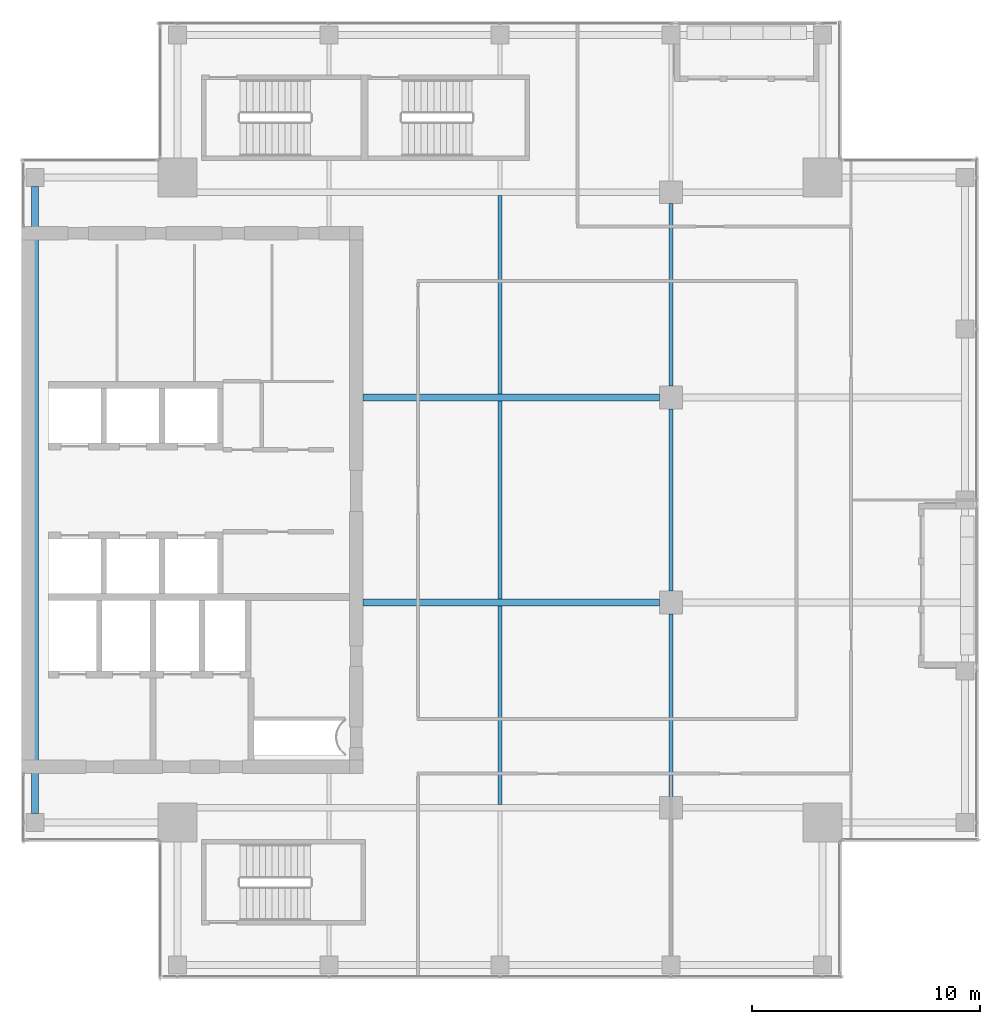
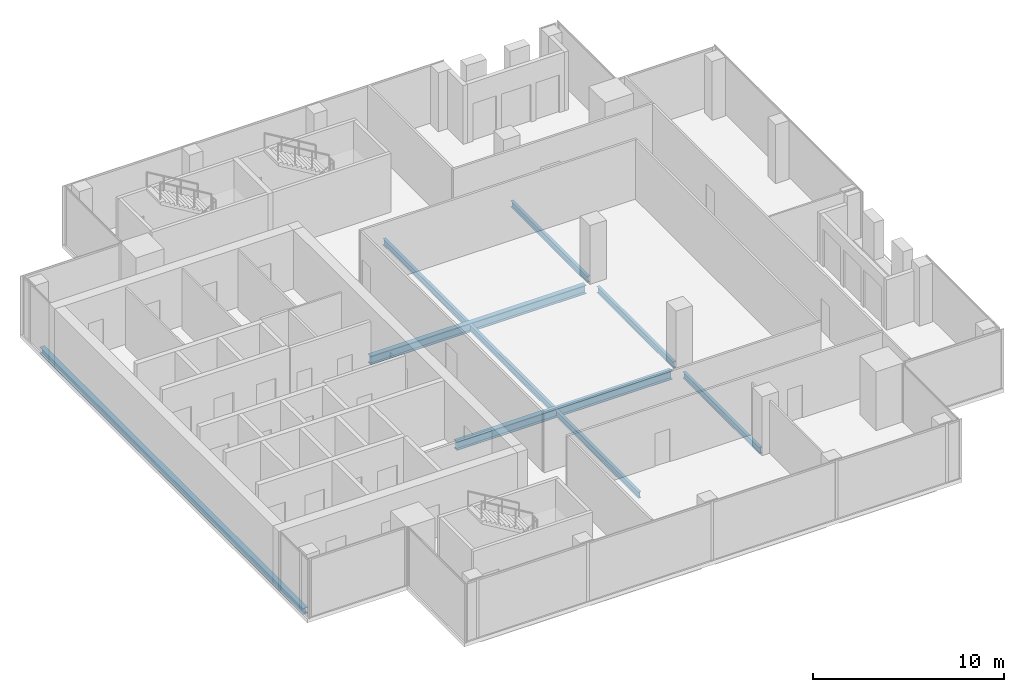
# One storey, part 8 of 29: 9 beams.
"""IFC4 building model written with IfcOpenShell, lengths in metres."""

from ifc_helpers import new_model, si_unit, direction, frame, origin, origin_2d, place, context, subcontext, project, spatial, i_section, extrude, source, transform, mapped, material, material_profile, profile_set, type_object, element, save


model = new_model("IFC4")

# Units and contexts
model_context = context("Model", 3, precision=1e-05, world=origin(), true_north=direction((0.0, 1.0)))
body_context = subcontext(model_context, "Body", "Model", "MODEL_VIEW")
ifc_project = project(units=[si_unit("LENGTHUNIT", "METRE"), si_unit("AREAUNIT", "SQUARE_METRE"), si_unit("VOLUMEUNIT", "CUBIC_METRE"), si_unit("PLANEANGLEUNIT", "RADIAN"), si_unit("MASSUNIT", "GRAM", prefix="KILO")], contexts=[model_context])

# Site, building, storey
site_placement = place(None, origin())
site = spatial("IfcSite", under=ifc_project, at=site_placement, CompositionType="ELEMENT")
building_placement = place(site_placement, origin())
building = spatial("IfcBuilding", under=site, at=building_placement, Name="Khomas Fold Tower", CompositionType="ELEMENT")
storey_placement = place(building_placement, frame((0.0, 0.0, 326.199951171875)))
storey = spatial("IfcBuildingStorey", under=building, at=storey_placement, Name="L74", CompositionType="ELEMENT", Elevation=326.199951171875)

# Beams
ifc_material_1 = material(Name="Steel S355", Category="steel")
ifc_material_profile_1 = material_profile(ifc_material_1, i_section(OverallWidth=0.179931640625, OverallDepth=0.39990234375, WebThickness=0.008544921875, FlangeThickness=0.013427734375, at=origin_2d()), Name="IPE 400")
ifc_profile_set_1 = profile_set([ifc_material_profile_1], Name="Steel S355")
beam_type_1 = type_object("IfcBeamType", Name="IPE 400 beam JB3", PredefinedType="BEAM", material=ifc_profile_set_1)
shared_shape_1 = source(origin(), body_context, "Body", "SweptSolid", [
    extrude(i_section(OverallWidth=0.179931640625, OverallDepth=0.39990234375, WebThickness=0.008544921875, FlangeThickness=0.013427734375, at=origin_2d()), origin(), (0.0, 0.0, 1.0), 8.7001953125),
])
for number, where, z_axis, x_axis, name in (
    (1, (27.0, 13.64990234375, -0.449951171875), (0.0, 1.0, 0.0), (-1.0, 0.0, 0.0), "JB3"),
    (2, (27.0, 22.64990234375, -0.449951171875), (0.0, 1.0, 0.0), (-1.0, 0.0, 0.0), "JB3"),
    (3, (27.0, 31.64990234375, -0.449951171875), (0.0, 1.0, 0.0), (-1.0, 0.0, 0.0), "JB3"),
):
    element("IfcBeam", number, at=place(storey_placement, frame(where, z_axis=z_axis, x_axis=x_axis)), inside=storey, type_object=beam_type_1, Name=name, PredefinedType="BEAM", context=body_context, shape_type="MappedRepresentation", body=[
        mapped(shared_shape_1, transform((0.0, 0.0, 0.0))),
    ])
ifc_material_2 = material(Name="Steel S355", Category="steel")
ifc_material_profile_2 = material_profile(ifc_material_2, i_section(OverallWidth=0.300048828125, OverallDepth=0.39990234375, WebThickness=0.013427734375, FlangeThickness=0.02392578125, at=origin_2d()), Name="HE 400 B")
ifc_profile_set_2 = profile_set([ifc_material_profile_2], Name="Steel S355")
beam_type_2 = type_object("IfcBeamType", Name="HE 400 B spandrel SB5", PredefinedType="SPANDREL", material=ifc_profile_set_2)
shared_shape_2 = source(origin(), body_context, "Body", "SweptSolid", [
    extrude(i_section(OverallWidth=0.300048828125, OverallDepth=0.39990234375, WebThickness=0.013427734375, FlangeThickness=0.02392578125, at=origin_2d()), origin(), (0.0, 0.0, 1.0), 27.5),
])
beam_placement = place(storey_placement, frame((6.60009765625, 13.25, -0.449951171875), z_axis=(0.0, 1.0, 0.0), x_axis=(-1.0, 0.0, 0.0)))
element("IfcBeam", 4, at=beam_placement, inside=storey, type_object=beam_type_2, Name="SB5", PredefinedType="SPANDREL", context=body_context, shape_type="MappedRepresentation", body=[
    mapped(shared_shape_2, transform((0.0, 0.0, 0.0))),
])
ifc_material_3 = material(Name="Steel S355", Category="steel")
ifc_material_profile_3 = material_profile(ifc_material_3, i_section(OverallWidth=0.300048828125, OverallDepth=0.550048828125, WebThickness=0.014892578125, FlangeThickness=0.029052734375, at=origin_2d()), Name="HE 550 B")
ifc_profile_set_3 = profile_set([ifc_material_profile_3], Name="Steel S355")
beam_type_3 = type_object("IfcBeamType", Name="HE 550 B beam GB4", PredefinedType="BEAM", material=ifc_profile_set_3)
shared_shape_3 = source(origin(), body_context, "Body", "SweptSolid", [
    extrude(i_section(OverallWidth=0.300048828125, OverallDepth=0.550048828125, WebThickness=0.014892578125, FlangeThickness=0.029052734375, at=origin_2d()), origin(), (0.0, 0.0, 1.0), 13.0),
])
for number, where, z_axis, x_axis, name in (
    (5, (21.0, 22.5, -0.52490234375), (1.0, 0.0, 0.0), (0.0, 1.0, 0.0), "GB4"),
    (6, (21.0, 31.5, -0.52490234375), (1.0, 0.0, 0.0), (0.0, 1.0, 0.0), "GB4"),
):
    element("IfcBeam", number, at=place(storey_placement, frame(where, z_axis=z_axis, x_axis=x_axis)), inside=storey, type_object=beam_type_3, Name=name, PredefinedType="BEAM", context=body_context, shape_type="MappedRepresentation", body=[
        mapped(shared_shape_3, transform((0.0, 0.0, 0.0))),
    ])
shared_shape_4 = source(origin(), body_context, "Body", "SweptSolid", [
    extrude(i_section(OverallWidth=0.179931640625, OverallDepth=0.39990234375, WebThickness=0.008544921875, FlangeThickness=0.013427734375, at=origin_2d()), origin(), (0.0, 0.0, 1.0), 8.0),
])
for number, where, z_axis, x_axis, name in (
    (7, (34.5, 14.0, -0.449951171875), (0.0, 1.0, 0.0), (-1.0, 0.0, 0.0), "JB3"),
    (8, (34.5, 23.0, -0.449951171875), (0.0, 1.0, 0.0), (-1.0, 0.0, 0.0), "JB3"),
    (9, (34.5, 32.0, -0.449951171875), (0.0, 1.0, 0.0), (-1.0, 0.0, 0.0), "JB3"),
):
    element("IfcBeam", number, at=place(storey_placement, frame(where, z_axis=z_axis, x_axis=x_axis)), inside=storey, type_object=beam_type_1, Name=name, PredefinedType="BEAM", context=body_context, shape_type="MappedRepresentation", body=[
        mapped(shared_shape_4, transform((0.0, 0.0, 0.0))),
    ])

save(model, "model.ifc")
